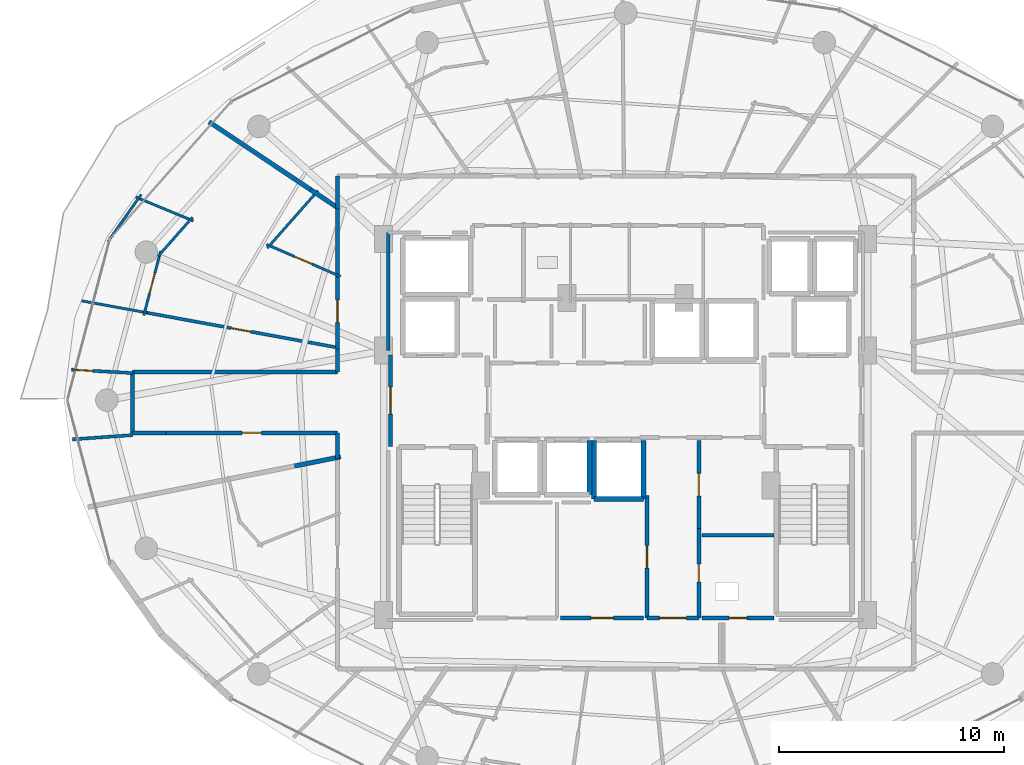
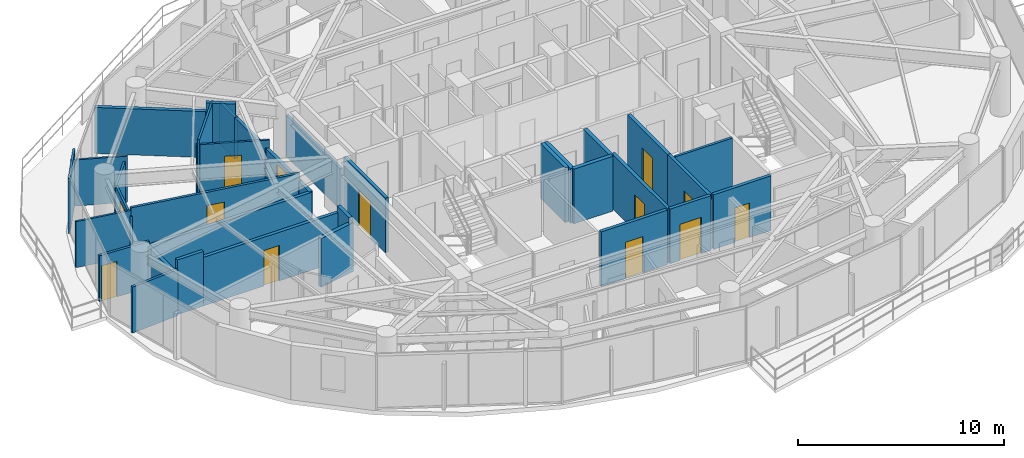
# One storey, part 22 of 30: 35 walls, 13 doors, 13 openings.
"""IFC4 building model written with IfcOpenShell, lengths in metres."""

import ifcopenshell
import ifcopenshell.guid

model = None  # the IFC model being written
_history = None  # IfcOwnerHistory: only IFC2X3 demands one
_inside = {}  # id of a spatial element -> (the spatial element, [elements in it])
_under = {}  # id of a project, library or spatial element -> (it, [spatial elements below it])
_declared = {}  # id of a project -> (the project, [libraries it declares])
_typed = {}  # id of a type object -> (the type object, [elements of that type])
_made_of = {}  # id of a material, layer set ... -> (it, [elements and type objects made of it])


def new_model(schema):
    """Start an empty IFC model of exactly this schema.

    Asked for "IFC4X3", IfcOpenShell would pick the latest addendum, in which some entities
    have other attributes; the version numbers below select the first issue.
    IFC2X3 requires an IfcOwnerHistory on every rooted entity: one is made here for all.
    """
    global model, _history
    if schema == "IFC4X3":
        model = ifcopenshell.file(schema_version=(4, 3, 0, 0))
    else:
        model = ifcopenshell.file(schema=schema)
    _inside.clear()
    _under.clear()
    _declared.clear()
    _typed.clear()
    _made_of.clear()
    _history = None
    if model.schema == "IFC2X3":
        org = make("IfcOrganization", Name="unknown")
        user = make(
            "IfcPersonAndOrganization",
            ThePerson=make("IfcPerson", FamilyName="unknown"),
            TheOrganization=org,
        )
        app = make(
            "IfcApplication",
            ApplicationDeveloper=org,
            Version="unknown",
            ApplicationFullName="unknown",
            ApplicationIdentifier="unknown",
        )
        _history = make(
            "IfcOwnerHistory",
            OwningUser=user,
            OwningApplication=app,
            ChangeAction="ADDED",
            CreationDate=0,
        )
    return model


def make(cls, **values):
    """One entity of the class cls with the attributes given. An attribute that is None is left unset."""
    return model.create_entity(
        cls, **{name: value for name, value in values.items() if value is not None}
    )


def rooted(cls, **values):
    """An entity with a GlobalId (a new one), such as an element, a storey or a relation."""
    return make(cls, GlobalId=ifcopenshell.guid.new(), OwnerHistory=_history, **values)


def si_unit(unit_type, name, prefix=None):
    """IfcSIUnit, for example si_unit("LENGTHUNIT", "METRE", prefix="MILLI")."""
    return make("IfcSIUnit", UnitType=unit_type, Prefix=prefix, Name=name)


def assignment(units):
    """IfcUnitAssignment: the units of a project."""
    return None if units is None else make("IfcUnitAssignment", Units=units)


def point(xyz):
    """IfcCartesianPoint."""
    return None if xyz is None else make("IfcCartesianPoint", Coordinates=xyz)


def direction(xyz):
    """IfcDirection."""
    return None if xyz is None else make("IfcDirection", DirectionRatios=xyz)


def frame(location, z_axis=None, x_axis=None):
    """IfcAxis2Placement3D, a coordinate frame: its origin and axes. An axis left out is left unset."""
    return make(
        "IfcAxis2Placement3D",
        Location=point(location),
        Axis=direction(z_axis),
        RefDirection=direction(x_axis),
    )


def frame_2d(location, x_axis=None):
    """IfcAxis2Placement2D, a coordinate frame in the plane: its origin and x axis."""
    return make(
        "IfcAxis2Placement2D", Location=point(location), RefDirection=direction(x_axis)
    )


def origin():
    """The frame at (0, 0, 0) with its axes left unset."""
    return frame((0.0, 0.0, 0.0))


def place(relative_to, where):
    """IfcLocalPlacement: puts the frame where relative to a parent placement (None: the world)."""
    return make(
        "IfcLocalPlacement", PlacementRelTo=relative_to, RelativePlacement=where
    )


def context(
    kind, dimensions, precision=None, world=None, true_north=None, identifier=None
):
    """IfcGeometricRepresentationContext, for example the 3D "Model" context."""
    return make(
        "IfcGeometricRepresentationContext",
        ContextIdentifier=identifier,
        ContextType=kind,
        CoordinateSpaceDimension=dimensions,
        Precision=precision,
        WorldCoordinateSystem=world,
        TrueNorth=true_north,
    )


def subcontext(parent, identifier, kind, view, scale=None):
    """IfcGeometricRepresentationSubContext, for example "Body" below "Model"."""
    return make(
        "IfcGeometricRepresentationSubContext",
        ContextIdentifier=identifier,
        ContextType=kind,
        ParentContext=parent,
        TargetScale=scale,
        TargetView=view,
    )


def project(units=None, contexts=None):
    """IfcProject with its units and contexts."""
    return rooted(
        "IfcProject",
        Name="project",
        RepresentationContexts=contexts,
        UnitsInContext=assignment(units),
    )


def spatial(cls, under=None, at=None, **own):
    """A site, building, storey or space (cls), placed at a placement, below another one or the project."""
    s = rooted(cls, ObjectPlacement=at, **own)
    if under is not None:
        _under.setdefault(under.id(), (under, []))[1].append(s)
    return s


def profile(cls, at=None, kind="AREA", **sizes):
    """A parametric profile (cls). Its sizes go by their IFC names, for example OverallWidth=200.0."""
    return make(cls, ProfileType=kind, Position=at, **sizes)


def rectangle(**sizes):
    """IfcRectangleProfileDef."""
    return profile("IfcRectangleProfileDef", **sizes)


def extrude(swept, where, along, depth):
    """IfcExtrudedAreaSolid: the profile swept, set in the frame where, extruded along a direction by depth."""
    return make(
        "IfcExtrudedAreaSolid",
        SweptArea=swept,
        Position=where,
        ExtrudedDirection=direction(along),
        Depth=depth,
    )


def shape(context_of_items, identifier, shape_type, items):
    """IfcShapeRepresentation: the items that make up one representation, for example the "Body"."""
    return make(
        "IfcShapeRepresentation",
        ContextOfItems=context_of_items,
        RepresentationIdentifier=identifier,
        RepresentationType=shape_type,
        Items=items,
    )


def material(Name=None, Category=None):
    """IfcMaterial."""
    return make("IfcMaterial", Name=Name, Category=Category)


def layer(
    of_material, thickness, ventilated=None, Name=None, Category=None, Priority=None
):
    """IfcMaterialLayer: one layer of a wall or slab, of a material (None: an air gap)."""
    return make(
        "IfcMaterialLayer",
        Material=of_material,
        LayerThickness=thickness,
        IsVentilated=ventilated,
        Name=Name,
        Category=Category,
        Priority=Priority,
    )


def layer_set(layers, Name=None):
    """IfcMaterialLayerSet."""
    return make("IfcMaterialLayerSet", MaterialLayers=layers, LayerSetName=Name)


def made_of(thing, what):
    """Note that an element or type object is made of a material, layer set ...; save() writes the relation."""
    if what is not None:
        _made_of.setdefault(what.id(), (what, []))[1].append(thing)
    return thing


def type_object(cls, material=None, **own):
    """A type object (cls), such as IfcWallType, which elements share."""
    return made_of(rooted(cls, **own), material)


def element(
    cls,
    number,
    at=None,
    inside=None,
    cuts=None,
    type_object=None,
    material=None,
    context=None,
    identifier="Body",
    shape_type=None,
    held_by="IfcProductDefinitionShape",
    body=None,
    shapes=None,
    **own,
):
    """One element of the class cls, such as IfcWall. Its Tag is "e" and its number.

    at: its placement. inside: the storey or other place that contains it. cuts: it is an
    opening in that element (IfcRelVoidsElement). A single representation is given by context,
    identifier, shape_type and body (its items); several are given by shapes. held_by: the class
    of the entity that holds the representations. save() writes the other relations.
    """
    e = rooted(cls, Tag="e%d" % number, ObjectPlacement=at, **own)
    if body is not None:
        shapes = [shape(context, identifier, shape_type, body)]
    if shapes is not None:
        e.Representation = make(held_by, Representations=shapes)
    if inside is not None:
        _inside.setdefault(inside.id(), (inside, []))[1].append(e)
    if cuts is not None:
        rooted(
            "IfcRelVoidsElement", RelatingBuildingElement=cuts, RelatedOpeningElement=e
        )
    if type_object is not None:
        _typed.setdefault(type_object.id(), (type_object, []))[1].append(e)
    return made_of(e, material)


def fill(opening, filler):
    """IfcRelFillsElement: the door or window that sits in an opening."""
    return rooted(
        "IfcRelFillsElement",
        RelatingOpeningElement=opening,
        RelatedBuildingElement=filler,
    )


def aggregate(whole, parts):
    """IfcRelAggregates: a whole, such as a stair, and the parts it consists of."""
    return rooted("IfcRelAggregates", RelatingObject=whole, RelatedObjects=parts)


def save(model, path):
    """Write the relations noted so far, then the file.

    IfcRelAggregates (storeys below a building ...), IfcRelContainedInSpatialStructure (elements
    in a storey), IfcRelDefinesByType, IfcRelAssociatesMaterial and IfcRelDeclares: one each for
    every whole, place, type object, material and project.
    """
    for whole, parts in _under.values():
        aggregate(whole, parts)
    for where, things in _inside.values():
        rooted(
            "IfcRelContainedInSpatialStructure",
            RelatedElements=things,
            RelatingStructure=where,
        )
    for kind, things in _typed.values():
        rooted("IfcRelDefinesByType", RelatedObjects=things, RelatingType=kind)
    for what, things in _made_of.values():
        rooted("IfcRelAssociatesMaterial", RelatedObjects=things, RelatingMaterial=what)
    for by, libraries in _declared.values():
        rooted("IfcRelDeclares", RelatingContext=by, RelatedDefinitions=libraries)
    model.write(path)


model = new_model("IFC4")

# Units and contexts
model_context = context("Model", 3, precision=1e-05, world=origin(), true_north=direction((0.0, 1.0)))
body_context = subcontext(model_context, "Body", "Model", "MODEL_VIEW")
ifc_project = project(units=[si_unit("LENGTHUNIT", "METRE"), si_unit("AREAUNIT", "SQUARE_METRE"), si_unit("VOLUMEUNIT", "CUBIC_METRE"), si_unit("PLANEANGLEUNIT", "RADIAN"), si_unit("MASSUNIT", "GRAM", prefix="KILO")], contexts=[model_context])

# Site, building, storey
site_placement = place(None, origin())
site = spatial("IfcSite", under=ifc_project, at=site_placement, CompositionType="ELEMENT")
building_placement = place(site_placement, origin())
building = spatial("IfcBuilding", under=site, at=building_placement, Name="Vorneva Point Tower", CompositionType="ELEMENT")
storey_placement = place(building_placement, frame((0.0, 0.0, 157.10009765625)))
storey = spatial("IfcBuildingStorey", under=building, at=storey_placement, Name="L42", CompositionType="ELEMENT", Elevation=157.10009765625)

# Wall, opening, door
ifc_material_1 = material(Name="Fire-rated acoustic gypsum stud partition", Category="gypsum")
ifc_layer_1 = layer(ifc_material_1, 0.110107421875)
ifc_layer_set_1 = layer_set([ifc_layer_1], Name="Fire-rated acoustic gypsum stud partition")
wall_type_1 = type_object("IfcWallType", Name="WL-PART-110", PredefinedType="PARTITIONING", material=ifc_layer_set_1)
wall_1_placement = place(storey_placement, frame((25.328369140625, 31.497314453125, 0.0), z_axis=(0.0, 0.0, 1.0), x_axis=(-0.917371334891, 0.398032453351, 0.0)))
wall_1 = element("IfcWall", 1, at=wall_1_placement, inside=storey, type_object=wall_type_1, Name="L42 Interior Partition 105", PredefinedType="PARTITIONING", context=body_context, shape_type="SweptSolid", body=[
    extrude(rectangle(XDim=3.578369140625, YDim=0.110107421875, at=frame_2d((1.7890625, 0.0))), origin(), (0.0, 0.0, 1.0), 2.885986328125),
])
opening_1_placement = place(wall_1_placement, frame((1.3642578125, 0.0, 0.0)))
opening_1 = element("IfcOpeningElement", 2, at=opening_1_placement, cuts=wall_1, Name="Opening ID-02", PredefinedType="OPENING", context=body_context, shape_type="SweptSolid", body=[
    extrude(rectangle(XDim=0.85009765625, YDim=2.10009765625, at=frame_2d((0.425048828125, 1.050048828125))), frame((0.0, 0.06982421875, 0.0), z_axis=(0.0, -1.0, 0.0), x_axis=(1.0, 0.0, 0.0)), (0.0, 0.0, 1.0), 0.139892578125),
])
ifc_material_2 = material(Name="Engineered oak fire-rated door leaf", Category="wood")
door_type_1 = type_object("IfcDoorType", Name="DR-BATH-850", OperationType="NOTDEFINED", PredefinedType="DOOR", material=ifc_material_2)
door_1_placement = place(opening_1_placement, origin())
door_1 = element("IfcDoor", 3, at=door_1_placement, inside=storey, type_object=door_type_1, Name="L42 Door Living and Dining Room L42-04 / Bathroom L42-04", OperationType="SINGLE_SWING_LEFT", OverallHeight=2.10009765625, OverallWidth=0.85009765625, PredefinedType="DOOR", context=body_context, shape_type="SweptSolid", body=[
    extrude(rectangle(XDim=0.85009765625, YDim=2.10009765625, at=frame_2d((0.425048828125, 1.050048828125))), frame((0.0, 0.02490234375, 0.0), z_axis=(0.0, -1.0, 0.0), x_axis=(1.0, 0.0, 0.0)), (0.0, 0.0, 1.0), 0.050048828125),
])
fill(opening_1, door_1)

# Walls
wall_2_placement = place(storey_placement, frame((22.081298828125, 32.760986328125, 0.0), z_axis=(0.0, 0.0, 1.0), x_axis=(0.662023888113, 0.749482736004, 0.0)))
element("IfcWall", 4, at=wall_2_placement, inside=storey, type_object=wall_type_1, Name="L42 Interior Partition 106", PredefinedType="PARTITIONING", context=body_context, shape_type="SweptSolid", body=[
    extrude(rectangle(XDim=3.3916015625, YDim=0.110107421875, at=frame_2d((1.69580078125, 0.0))), origin(), (0.0, 0.0, 1.0), 3.239990234375),
])
wall_3_placement = place(storey_placement, frame((16.230712890625, 35.025634765625, 0.0), z_axis=(0.0, 0.0, 1.0), x_axis=(0.923742873908, -0.383013188943, 0.0)))
element("IfcWall", 5, at=wall_3_placement, inside=storey, type_object=wall_type_1, Name="L42 Interior Partition 107", PredefinedType="PARTITIONING", context=body_context, shape_type="SweptSolid", body=[
    extrude(rectangle(XDim=2.770751953125, YDim=0.110107421875, at=frame_2d((1.38525390625, 0.0))), origin(), (0.0, 0.0, 1.0), 2.727783203125),
])
wall_4_placement = place(storey_placement, frame((18.753662109375, 34.122802734375, 0.0), z_axis=(0.0, 0.0, 1.0), x_axis=(-0.66207590595, -0.749436785033, 0.0)))
element("IfcWall", 6, at=wall_4_placement, inside=storey, type_object=wall_type_1, Name="L42 Interior Partition 108", PredefinedType="PARTITIONING", context=body_context, shape_type="SweptSolid", body=[
    extrude(rectangle(XDim=2.327880859375, YDim=0.110107421875, at=frame_2d((1.1640625, 0.0))), origin(), (0.0, 0.0, 1.0), 2.431884765625),
])

# Wall, opening, door
wall_5_placement = place(storey_placement, frame((17.340576171875, 32.618408203125, 0.0), z_axis=(0.0, 0.0, 1.0), x_axis=(-0.254191595923, -0.967153882566, 0.0)))
wall_5 = element("IfcWall", 7, at=wall_5_placement, inside=storey, type_object=wall_type_1, Name="L42 Interior Partition 109", PredefinedType="PARTITIONING", context=body_context, shape_type="SweptSolid", body=[
    extrude(rectangle(XDim=2.94775390625, YDim=0.110107421875, at=frame_2d((1.473876953125, 0.0))), origin(), (0.0, 0.0, 1.0), 2.431884765625),
])
opening_2_placement = place(wall_5_placement, frame((1.023681640625, 0.0, 0.0)))
opening_2 = element("IfcOpeningElement", 8, at=opening_2_placement, cuts=wall_5, Name="Opening ID-01", PredefinedType="OPENING", context=body_context, shape_type="SweptSolid", body=[
    extrude(rectangle(XDim=0.89990234375, YDim=2.10009765625, at=frame_2d((0.449951171875, 1.050048828125))), frame((0.0, 0.06982421875, 0.0), z_axis=(0.0, -1.0, 0.0), x_axis=(1.0, 0.0, 0.0)), (0.0, 0.0, 1.0), 0.139892578125),
])
door_type_2 = type_object("IfcDoorType", Name="DR-ROOM-900", OperationType="NOTDEFINED", PredefinedType="DOOR", material=ifc_material_2)
door_2_placement = place(opening_2_placement, origin())
door_2 = element("IfcDoor", 9, at=door_2_placement, inside=storey, type_object=door_type_2, Name="L42 Door Living and Dining Room L42-04 / Kitchen L42-04", OperationType="SINGLE_SWING_RIGHT", OverallHeight=2.10009765625, OverallWidth=0.89990234375, PredefinedType="DOOR", context=body_context, shape_type="SweptSolid", body=[
    extrude(rectangle(XDim=0.89990234375, YDim=2.10009765625, at=frame_2d((0.449951171875, 1.050048828125))), frame((0.0, 0.02490234375, 0.0), z_axis=(0.0, -1.0, 0.0), x_axis=(1.0, 0.0, 0.0)), (0.0, 0.0, 1.0), 0.050048828125),
])
fill(opening_2, door_2)

# Walls
wall_6_placement = place(storey_placement, frame((16.4755859375, 35.136474609375, 0.0), z_axis=(0.0, 0.0, 1.0), x_axis=(-0.576469555269, -0.81711862777, 0.0)))
element("IfcWall", 10, at=wall_6_placement, inside=storey, type_object=wall_type_1, Name="L42 Interior Partition 110", PredefinedType="PARTITIONING", context=body_context, shape_type="SweptSolid", body=[
    extrude(rectangle(XDim=2.5576171875, YDim=0.110107421875, at=frame_2d((1.27880859375, 0.0))), origin(), (0.0, 0.0, 1.0), 3.239990234375),
])
wall_7_placement = place(storey_placement, frame((13.834228515625, 30.4130859375, 0.0), z_axis=(0.0, 0.0, 1.0), x_axis=(0.983716126889, -0.179729189891, 0.0)))
element("IfcWall", 11, at=wall_7_placement, inside=storey, type_object=wall_type_1, Name="L42 Interior Partition 112", PredefinedType="PARTITIONING", context=body_context, shape_type="SweptSolid", body=[
    extrude(rectangle(XDim=2.97900390625, YDim=0.110107421875, at=frame_2d((1.489501953125, 0.0))), origin(), (0.0, 0.0, 1.0), 2.727783203125),
])
ifc_layer_2 = layer(ifc_material_1, 0.139892578125)
ifc_layer_set_2 = layer_set([ifc_layer_2], Name="Fire-rated acoustic gypsum stud partition")
wall_type_2 = type_object("IfcWallType", Name="WL-PART-140", PredefinedType="PARTITIONING", material=ifc_layer_set_2)
wall_8_placement = place(storey_placement, frame((44.60009765625, 20.0, 0.0), z_axis=(0.0, 0.0, 1.0), x_axis=(-1.0, 0.0, 0.0)))
element("IfcWall", 12, at=wall_8_placement, inside=storey, type_object=wall_type_2, Name="L42 Interior Partition 018", PredefinedType="PARTITIONING", context=body_context, shape_type="SweptSolid", body=[
    extrude(rectangle(XDim=3.2001953125, YDim=0.139892578125, at=frame_2d((1.60009765625, 0.0))), origin(), (0.0, 0.0, 1.0), 3.239990234375),
])

# Wall, opening, door
wall_9_placement = place(storey_placement, frame((16.626953125, 29.903076171875, 0.0), z_axis=(0.0, 0.0, 1.0), x_axis=(0.983739211704, -0.179602793286, 0.0)))
wall_9 = element("IfcWall", 13, at=wall_9_placement, inside=storey, type_object=wall_type_2, Name="L42 Interior Partition 111", PredefinedType="PARTITIONING", context=body_context, shape_type="SweptSolid", body=[
    extrude(rectangle(XDim=8.714599609375, YDim=0.139892578125, at=frame_2d((4.357421875, 0.0))), origin(), (0.0, 0.0, 1.0), 2.885986328125),
])
opening_3_placement = place(wall_9_placement, frame((3.9072265625, 0.0, 0.0)))
opening_3 = element("IfcOpeningElement", 14, at=opening_3_placement, cuts=wall_9, Name="Opening ID-01", PredefinedType="OPENING", context=body_context, shape_type="SweptSolid", body=[
    extrude(rectangle(XDim=0.89990234375, YDim=2.10009765625, at=frame_2d((0.449951171875, 1.050048828125))), frame((0.0, 0.0849609375, 0.0), z_axis=(0.0, -1.0, 0.0), x_axis=(1.0, 0.0, 0.0)), (0.0, 0.0, 1.0), 0.169677734375),
])
door_3_placement = place(opening_3_placement, origin())
door_3 = element("IfcDoor", 15, at=door_3_placement, inside=storey, type_object=door_type_2, Name="L42 Door Living and Dining Room L42-04 / Master Bedroom L42-04.1", OperationType="SINGLE_SWING_LEFT", OverallHeight=2.10009765625, OverallWidth=0.89990234375, PredefinedType="DOOR", context=body_context, shape_type="SweptSolid", body=[
    extrude(rectangle(XDim=0.89990234375, YDim=2.10009765625, at=frame_2d((0.449951171875, 1.050048828125))), frame((0.0, 0.02490234375, 0.0), z_axis=(0.0, -1.0, 0.0), x_axis=(1.0, 0.0, 0.0)), (0.0, 0.0, 1.0), 0.050048828125),
])
fill(opening_3, door_3)

wall_10_placement = place(storey_placement, frame((13.376953125, 27.35498046875, 0.0), z_axis=(0.0, 0.0, 1.0), x_axis=(0.998488320145, -0.054964302364, 0.0)))
wall_10 = element("IfcWall", 16, at=wall_10_placement, inside=storey, type_object=wall_type_2, Name="L42 Interior Partition 113", PredefinedType="PARTITIONING", context=body_context, shape_type="SweptSolid", body=[
    extrude(rectangle(XDim=2.727294921875, YDim=0.139892578125, at=frame_2d((1.36376953125, 0.0))), origin(), (0.0, 0.0, 1.0), 2.727783203125),
])
opening_4_placement = place(wall_10_placement, frame((0.0986328125, 0.0, 0.0)))
opening_4 = element("IfcOpeningElement", 17, at=opening_4_placement, cuts=wall_10, Name="Opening ID-02", PredefinedType="OPENING", context=body_context, shape_type="SweptSolid", body=[
    extrude(rectangle(XDim=0.85009765625, YDim=2.10009765625, at=frame_2d((0.425048828125, 1.050048828125))), frame((0.0, 0.0849609375, 0.0), z_axis=(0.0, -1.0, 0.0), x_axis=(1.0, 0.0, 0.0)), (0.0, 0.0, 1.0), 0.169677734375),
])
door_4_placement = place(opening_4_placement, origin())
door_4 = element("IfcDoor", 18, at=door_4_placement, inside=storey, type_object=door_type_1, Name="L42 Access Door Master Bedroom L42-04.1", OperationType="SINGLE_SWING_RIGHT", OverallHeight=2.10009765625, OverallWidth=0.85009765625, PredefinedType="DOOR", context=body_context, shape_type="SweptSolid", body=[
    extrude(rectangle(XDim=0.85009765625, YDim=2.10009765625, at=frame_2d((0.425048828125, 1.050048828125))), frame((0.0, 0.02490234375, 0.0), z_axis=(0.0, -1.0, 0.0), x_axis=(1.0, 0.0, 0.0)), (0.0, 0.0, 1.0), 0.050048828125),
])
fill(opening_4, door_4)

# Walls
wall_11_placement = place(storey_placement, frame((13.427001953125, 24.260009765625, 0.0), z_axis=(0.0, 0.0, 1.0), x_axis=(0.997504277417, 0.070606065851, 0.0)))
element("IfcWall", 19, at=wall_11_placement, inside=storey, type_object=wall_type_2, Name="L42 Interior Partition 114", PredefinedType="PARTITIONING", context=body_context, shape_type="SweptSolid", body=[
    extrude(rectangle(XDim=2.6796875, YDim=0.139892578125, at=frame_2d((1.33984375, 0.0))), origin(), (0.0, 0.0, 1.0), 2.727783203125),
])
wall_12_placement = place(storey_placement, frame((27.449951171875, 33.449951171875, 0.0), z_axis=(0.0, 0.0, 1.0), x_axis=(0.0, -1.0, 0.0)))
element("IfcWall", 20, at=wall_12_placement, inside=storey, type_object=wall_type_2, Name="L42 Interior Closure Partition 158", PredefinedType="PARTITIONING", context=body_context, shape_type="SweptSolid", body=[
    extrude(rectangle(XDim=5.25390625, YDim=0.139892578125, at=frame_2d((2.626953125, 0.0))), origin(), (0.0, 0.0, 1.0), 2.431884765625),
])

# Wall, opening, door
ifc_material_3 = material(Name="Autoclaved aerated concrete blockwork", Category="masonry")
ifc_layer_3 = layer(ifc_material_3, 0.179931640625)
ifc_layer_set_3 = layer_set([ifc_layer_3], Name="Autoclaved aerated concrete blockwork")
wall_type_3 = type_object("IfcWallType", Name="WL-PART-180", PredefinedType="PARTITIONING", material=ifc_layer_set_3)
wall_13_placement = place(storey_placement, frame((27.550048828125, 28.0, 0.0), z_axis=(0.0, 0.0, 1.0), x_axis=(0.0, -1.0, 0.0)))
wall_13 = element("IfcWall", 21, at=wall_13_placement, inside=storey, type_object=wall_type_3, Name="L42 Interior Partition 002", PredefinedType="PARTITIONING", context=body_context, shape_type="SweptSolid", body=[
    extrude(rectangle(XDim=4.050048828125, YDim=0.179931640625, at=frame_2d((2.02490234375, 0.0))), origin(), (0.0, 0.0, 1.0), 3.239990234375),
])
opening_5_placement = place(wall_13_placement, frame((1.425048828125, 0.0, 0.0)))
opening_5 = element("IfcOpeningElement", 22, at=opening_5_placement, cuts=wall_13, Name="Opening FD-02", PredefinedType="OPENING", context=body_context, shape_type="SweptSolid", body=[
    extrude(rectangle(XDim=1.199951171875, YDim=2.14990234375, at=frame_2d((0.60009765625, 1.074951171875))), frame((0.0, 0.10498046875, 0.0), z_axis=(0.0, -1.0, 0.0), x_axis=(1.0, 0.0, 0.0)), (0.0, 0.0, 1.0), 0.209716796875),
])
ifc_material_4 = material(Name="Fire-rated powder-coated steel", Category="steel")
door_type_3 = type_object("IfcDoorType", Name="DR-FFL-1200", OperationType="NOTDEFINED", PredefinedType="DOOR", material=ifc_material_4)
door_5_placement = place(opening_5_placement, origin())
door_5 = element("IfcDoor", 23, at=door_5_placement, inside=storey, type_object=door_type_3, Name="L42 Door West Firefighting Lobby / L42 Circulation Corridor", OperationType="SINGLE_SWING_RIGHT", OverallHeight=2.14990234375, OverallWidth=1.199951171875, PredefinedType="DOOR", context=body_context, shape_type="SweptSolid", body=[
    extrude(rectangle(XDim=1.199951171875, YDim=2.14990234375, at=frame_2d((0.60009765625, 1.074951171875))), frame((0.0, 0.02490234375, 0.0), z_axis=(0.0, -1.0, 0.0), x_axis=(1.0, 0.0, 0.0)), (0.0, 0.0, 1.0), 0.050048828125),
])
fill(opening_5, door_5)

wall_14_placement = place(storey_placement, frame((41.25, 16.320068359375, 0.0), z_axis=(0.0, 0.0, 1.0), x_axis=(0.0, 1.0, 0.0)))
wall_14 = element("IfcWall", 24, at=wall_14_placement, inside=storey, type_object=wall_type_3, Name="L42 Interior Partition 014", PredefinedType="PARTITIONING", context=body_context, shape_type="SweptSolid", body=[
    extrude(rectangle(XDim=3.98486328125, YDim=0.179931640625, at=frame_2d((1.992431640625, 0.0))), origin(), (0.0, 0.0, 1.0), 3.239990234375),
])
opening_6_placement = place(wall_14_placement, frame((1.592529296875, 0.0, 0.0)))
opening_6 = element("IfcOpeningElement", 25, at=opening_6_placement, cuts=wall_14, Name="Opening RD-01", PredefinedType="OPENING", context=body_context, shape_type="SweptSolid", body=[
    extrude(rectangle(XDim=0.800048828125, YDim=2.050048828125, at=frame_2d((0.39990234375, 1.02490234375))), frame((0.0, 0.10498046875, 0.0), z_axis=(0.0, -1.0, 0.0), x_axis=(1.0, 0.0, 0.0)), (0.0, 0.0, 1.0), 0.209716796875),
])
door_type_4 = type_object("IfcDoorType", Name="DR-RSR-800", OperationType="SINGLE_SWING_LEFT", PredefinedType="DOOR", material=ifc_material_4)
door_6_placement = place(opening_6_placement, origin())
door_6 = element("IfcDoor", 26, at=door_6_placement, inside=storey, type_object=door_type_4, Name="L42 Door Core Service Lobby / Electrical Riser", OperationType="SINGLE_SWING_LEFT", OverallHeight=2.050048828125, OverallWidth=0.800048828125, PredefinedType="DOOR", context=body_context, shape_type="SweptSolid", body=[
    extrude(rectangle(XDim=0.800048828125, YDim=2.050048828125, at=frame_2d((0.39990234375, 1.02490234375))), frame((0.0, 0.02490234375, 0.0), z_axis=(0.0, -1.0, 0.0), x_axis=(1.0, 0.0, 0.0)), (0.0, 0.0, 1.0), 0.050048828125),
])
fill(opening_6, door_6)

wall_15_placement = place(storey_placement, frame((41.25, 20.304931640625, 0.0), z_axis=(0.0, 0.0, 1.0), x_axis=(0.0, 1.0, 0.0)))
wall_15 = element("IfcWall", 27, at=wall_15_placement, inside=storey, type_object=wall_type_3, Name="L42 Interior Partition 015", PredefinedType="PARTITIONING", context=body_context, shape_type="SweptSolid", body=[
    extrude(rectangle(XDim=3.89501953125, YDim=0.179931640625, at=frame_2d((1.947509765625, 0.0))), origin(), (0.0, 0.0, 1.0), 3.239990234375),
])
opening_7_placement = place(wall_15_placement, frame((1.447509765625, 0.0, 0.0)))
opening_7 = element("IfcOpeningElement", 28, at=opening_7_placement, cuts=wall_15, Name="Opening UD-01", PredefinedType="OPENING", context=body_context, shape_type="SweptSolid", body=[
    extrude(rectangle(XDim=1.0, YDim=2.14990234375, at=frame_2d((0.5, 1.074951171875))), frame((0.0, 0.10498046875, 0.0), z_axis=(0.0, -1.0, 0.0), x_axis=(1.0, 0.0, 0.0)), (0.0, 0.0, 1.0), 0.209716796875),
])
door_type_5 = type_object("IfcDoorType", Name="DR-UNIT-1000", OperationType="NOTDEFINED", PredefinedType="DOOR", material=ifc_material_2)
door_7_placement = place(opening_7_placement, origin())
door_7 = element("IfcDoor", 29, at=door_7_placement, inside=storey, type_object=door_type_5, Name="L42 Door Core Service Lobby / Floor Management Office", OperationType="SINGLE_SWING_RIGHT", OverallHeight=2.14990234375, OverallWidth=1.0, PredefinedType="DOOR", context=body_context, shape_type="SweptSolid", body=[
    extrude(rectangle(XDim=1.0, YDim=2.14990234375, at=frame_2d((0.5, 1.074951171875))), frame((0.0, 0.02490234375, 0.0), z_axis=(0.0, -1.0, 0.0), x_axis=(1.0, 0.0, 0.0)), (0.0, 0.0, 1.0), 0.050048828125),
])
fill(opening_7, door_7)

wall_16_placement = place(storey_placement, frame((38.949951171875, 21.7548828125, 0.0), z_axis=(0.0, 0.0, 1.0), x_axis=(0.0, -1.0, 0.0)))
wall_16 = element("IfcWall", 30, at=wall_16_placement, inside=storey, type_object=wall_type_3, Name="L42 Interior Partition 016", PredefinedType="PARTITIONING", context=body_context, shape_type="SweptSolid", body=[
    extrude(rectangle(XDim=5.434814453125, YDim=0.179931640625, at=frame_2d((2.71728515625, 0.0))), origin(), (0.0, 0.0, 1.0), 3.239990234375),
])
opening_8_placement = place(wall_16_placement, frame((2.217529296875, 0.0, 0.0)))
opening_8 = element("IfcOpeningElement", 31, at=opening_8_placement, cuts=wall_16, Name="Opening UD-01", PredefinedType="OPENING", context=body_context, shape_type="SweptSolid", body=[
    extrude(rectangle(XDim=1.0, YDim=2.14990234375, at=frame_2d((0.5, 1.074951171875))), frame((0.0, 0.10498046875, 0.0), z_axis=(0.0, -1.0, 0.0), x_axis=(1.0, 0.0, 0.0)), (0.0, 0.0, 1.0), 0.209716796875),
])
door_8_placement = place(opening_8_placement, origin())
door_8 = element("IfcDoor", 32, at=door_8_placement, inside=storey, type_object=door_type_5, Name="L42 Door Core Service Lobby / Staff Service Pantry", OperationType="SINGLE_SWING_LEFT", OverallHeight=2.14990234375, OverallWidth=1.0, PredefinedType="DOOR", context=body_context, shape_type="SweptSolid", body=[
    extrude(rectangle(XDim=1.0, YDim=2.14990234375, at=frame_2d((0.5, 1.074951171875))), frame((0.0, 0.02490234375, 0.0), z_axis=(0.0, -1.0, 0.0), x_axis=(1.0, 0.0, 0.0)), (0.0, 0.0, 1.0), 0.050048828125),
])
fill(opening_8, door_8)

wall_17_placement = place(storey_placement, frame((38.949951171875, 16.320068359375, 0.0), z_axis=(0.0, 0.0, 1.0), x_axis=(1.0, 0.0, 0.0)))
wall_17 = element("IfcWall", 33, at=wall_17_placement, inside=storey, type_object=wall_type_3, Name="L42 Interior Partition 017", PredefinedType="PARTITIONING", context=body_context, shape_type="SweptSolid", body=[
    extrude(rectangle(XDim=2.300048828125, YDim=0.179931640625, at=frame_2d((1.14990234375, 0.0))), origin(), (0.0, 0.0, 1.0), 3.239990234375),
])
opening_9_placement = place(wall_17_placement, frame((0.550048828125, 0.0, 0.0)))
opening_9 = element("IfcOpeningElement", 34, at=opening_9_placement, cuts=wall_17, Name="Opening FD-02", PredefinedType="OPENING", context=body_context, shape_type="SweptSolid", body=[
    extrude(rectangle(XDim=1.199951171875, YDim=2.14990234375, at=frame_2d((0.60009765625, 1.074951171875))), frame((0.0, 0.10498046875, 0.0), z_axis=(0.0, -1.0, 0.0), x_axis=(1.0, 0.0, 0.0)), (0.0, 0.0, 1.0), 0.209716796875),
])
door_9_placement = place(opening_9_placement, origin())
door_9 = element("IfcDoor", 35, at=door_9_placement, inside=storey, type_object=door_type_3, Name="L42 Door Core Service Lobby / L42 Circulation Corridor", OperationType="SINGLE_SWING_RIGHT", OverallHeight=2.14990234375, OverallWidth=1.199951171875, PredefinedType="DOOR", context=body_context, shape_type="SweptSolid", body=[
    extrude(rectangle(XDim=1.199951171875, YDim=2.14990234375, at=frame_2d((0.60009765625, 1.074951171875))), frame((0.0, 0.02490234375, 0.0), z_axis=(0.0, -1.0, 0.0), x_axis=(1.0, 0.0, 0.0)), (0.0, 0.0, 1.0), 0.050048828125),
])
fill(opening_9, door_9)

wall_18_placement = place(storey_placement, frame((41.39990234375, 16.320068359375, 0.0), z_axis=(0.0, 0.0, 1.0), x_axis=(1.0, 0.0, 0.0)))
wall_18 = element("IfcWall", 36, at=wall_18_placement, inside=storey, type_object=wall_type_3, Name="L42 Interior Partition 019", PredefinedType="PARTITIONING", context=body_context, shape_type="SweptSolid", body=[
    extrude(rectangle(XDim=3.2001953125, YDim=0.179931640625, at=frame_2d((1.60009765625, 0.0))), origin(), (0.0, 0.0, 1.0), 3.239990234375),
])
opening_10_placement = place(wall_18_placement, frame((1.199951171875, 0.0, 0.0)))
opening_10 = element("IfcOpeningElement", 37, at=opening_10_placement, cuts=wall_18, Name="Opening RD-01", PredefinedType="OPENING", context=body_context, shape_type="SweptSolid", body=[
    extrude(rectangle(XDim=0.800048828125, YDim=2.050048828125, at=frame_2d((0.39990234375, 1.02490234375))), frame((0.0, 0.10498046875, 0.0), z_axis=(0.0, -1.0, 0.0), x_axis=(1.0, 0.0, 0.0)), (0.0, 0.0, 1.0), 0.209716796875),
])
door_10_placement = place(opening_10_placement, origin())
door_10 = element("IfcDoor", 38, at=door_10_placement, inside=storey, type_object=door_type_4, Name="L42 Door Electrical Riser / L42 Circulation Corridor", OperationType="SINGLE_SWING_LEFT", OverallHeight=2.050048828125, OverallWidth=0.800048828125, PredefinedType="DOOR", context=body_context, shape_type="SweptSolid", body=[
    extrude(rectangle(XDim=0.800048828125, YDim=2.050048828125, at=frame_2d((0.39990234375, 1.02490234375))), frame((0.0, 0.02490234375, 0.0), z_axis=(0.0, -1.0, 0.0), x_axis=(1.0, 0.0, 0.0)), (0.0, 0.0, 1.0), 0.050048828125),
])
fill(opening_10, door_10)

wall_19_placement = place(storey_placement, frame((35.10009765625, 16.320068359375, 0.0), z_axis=(0.0, 0.0, 1.0), x_axis=(1.0, 0.0, 0.0)))
wall_19 = element("IfcWall", 39, at=wall_19_placement, inside=storey, type_object=wall_type_3, Name="L42 Interior Partition 033", PredefinedType="PARTITIONING", context=body_context, shape_type="SweptSolid", body=[
    extrude(rectangle(XDim=3.699951171875, YDim=0.179931640625, at=frame_2d((1.85009765625, 0.0))), origin(), (0.0, 0.0, 1.0), 3.239990234375),
])
opening_11_placement = place(wall_19_placement, frame((1.35009765625, 0.0, 0.0)))
opening_11 = element("IfcOpeningElement", 40, at=opening_11_placement, cuts=wall_19, Name="Opening UD-01", PredefinedType="OPENING", context=body_context, shape_type="SweptSolid", body=[
    extrude(rectangle(XDim=1.0, YDim=2.14990234375, at=frame_2d((0.5, 1.074951171875))), frame((0.0, 0.10498046875, 0.0), z_axis=(0.0, -1.0, 0.0), x_axis=(1.0, 0.0, 0.0)), (0.0, 0.0, 1.0), 0.209716796875),
])
door_11_placement = place(opening_11_placement, origin())
door_11 = element("IfcDoor", 41, at=door_11_placement, inside=storey, type_object=door_type_5, Name="L42 Door Staff Service Pantry / L42 Circulation Corridor", OperationType="SINGLE_SWING_LEFT", OverallHeight=2.14990234375, OverallWidth=1.0, PredefinedType="DOOR", context=body_context, shape_type="SweptSolid", body=[
    extrude(rectangle(XDim=1.0, YDim=2.14990234375, at=frame_2d((0.5, 1.074951171875))), frame((0.0, 0.02490234375, 0.0), z_axis=(0.0, -1.0, 0.0), x_axis=(1.0, 0.0, 0.0)), (0.0, 0.0, 1.0), 0.050048828125),
])
fill(opening_11, door_11)

# Wall
wall_20_placement = place(storey_placement, frame((25.199951171875, 35.949951171875, 0.0), z_axis=(0.0, 0.0, 1.0), x_axis=(0.0, -1.0, 0.0)))
element("IfcWall", 42, at=wall_20_placement, inside=storey, type_object=wall_type_3, Name="L42 Interior Partition 047", PredefinedType="PARTITIONING", context=body_context, shape_type="SweptSolid", body=[
    extrude(rectangle(XDim=1.45703125, YDim=0.179931640625, at=frame_2d((0.728515625, 0.0))), origin(), (0.0, 0.0, 1.0), 2.431884765625),
])

# Wall, opening, door
wall_21_placement = place(storey_placement, frame((25.199951171875, 31.617919921875, 0.0), z_axis=(0.0, 0.0, 1.0), x_axis=(0.0, -1.0, 0.0)))
wall_21 = element("IfcWall", 43, at=wall_21_placement, inside=storey, type_object=wall_type_3, Name="L42 Interior Partition 048", PredefinedType="PARTITIONING", context=body_context, shape_type="SweptSolid", body=[
    extrude(rectangle(XDim=3.33984375, YDim=0.179931640625, at=frame_2d((1.669921875, 0.0))), origin(), (0.0, 0.0, 1.0), 2.431884765625),
])
opening_12_placement = place(wall_21_placement, frame((1.169921875, 0.0, 0.0)))
opening_12 = element("IfcOpeningElement", 44, at=opening_12_placement, cuts=wall_21, Name="Opening UD-01", PredefinedType="OPENING", context=body_context, shape_type="SweptSolid", body=[
    extrude(rectangle(XDim=1.0, YDim=2.14990234375, at=frame_2d((0.5, 1.074951171875))), frame((0.0, 0.10498046875, 0.0), z_axis=(0.0, -1.0, 0.0), x_axis=(1.0, 0.0, 0.0)), (0.0, 0.0, 1.0), 0.209716796875),
])
door_12_placement = place(opening_12_placement, origin())
door_12 = element("IfcDoor", 45, at=door_12_placement, inside=storey, type_object=door_type_5, Name="L42 Door L42 Circulation Corridor / Living and Dining Room L42-04", OperationType="SINGLE_SWING_LEFT", OverallHeight=2.14990234375, OverallWidth=1.0, PredefinedType="DOOR", context=body_context, shape_type="SweptSolid", body=[
    extrude(rectangle(XDim=1.0, YDim=2.14990234375, at=frame_2d((0.5, 1.074951171875))), frame((0.0, 0.02490234375, 0.0), z_axis=(0.0, -1.0, 0.0), x_axis=(1.0, 0.0, 0.0)), (0.0, 0.0, 1.0), 0.050048828125),
])
fill(opening_12, door_12)

# Walls
wall_22_placement = place(storey_placement, frame((25.199951171875, 34.633056640625, 0.0), z_axis=(0.0, 0.0, 1.0), x_axis=(0.0, -1.0, 0.0)))
element("IfcWall", 46, at=wall_22_placement, inside=storey, type_object=wall_type_3, Name="L42 Interior Partition 049", PredefinedType="PARTITIONING", context=body_context, shape_type="SweptSolid", body=[
    extrude(rectangle(XDim=3.155029296875, YDim=0.179931640625, at=frame_2d((1.57763671875, 0.0))), origin(), (0.0, 0.0, 1.0), 2.431884765625),
])
wall_23_placement = place(storey_placement, frame((25.199951171875, 28.278076171875, 0.0), z_axis=(0.0, 0.0, 1.0), x_axis=(0.0, -1.0, 0.0)))
element("IfcWall", 47, at=wall_23_placement, inside=storey, type_object=wall_type_3, Name="L42 Interior Partition 050", PredefinedType="PARTITIONING", context=body_context, shape_type="SweptSolid", body=[
    extrude(rectangle(XDim=1.028076171875, YDim=0.179931640625, at=frame_2d((0.51416015625, 0.0))), origin(), (0.0, 0.0, 1.0), 2.431884765625),
])
wall_24_placement = place(storey_placement, frame((25.199951171875, 27.25, 0.0), z_axis=(0.0, 0.0, 1.0), x_axis=(-1.0, 0.0, 0.0)))
element("IfcWall", 48, at=wall_24_placement, inside=storey, type_object=wall_type_3, Name="L42 Interior Partition 051", PredefinedType="PARTITIONING", context=body_context, shape_type="SweptSolid", body=[
    extrude(rectangle(XDim=9.099853515625, YDim=0.179931640625, at=frame_2d((4.5498046875, 0.0))), origin(), (0.0, 0.0, 1.0), 2.431884765625),
])
wall_25_placement = place(storey_placement, frame((16.10009765625, 27.25, 0.0), z_axis=(0.0, 0.0, 1.0), x_axis=(0.0, -1.0, 0.0)))
element("IfcWall", 49, at=wall_25_placement, inside=storey, type_object=wall_type_3, Name="L42 Interior Partition 052", PredefinedType="PARTITIONING", context=body_context, shape_type="SweptSolid", body=[
    extrude(rectangle(XDim=2.699951171875, YDim=0.179931640625, at=frame_2d((1.35009765625, 0.0))), origin(), (0.0, 0.0, 1.0), 2.431884765625),
])
wall_26_placement = place(storey_placement, frame((16.10009765625, 24.550048828125, 0.0), z_axis=(0.0, 0.0, 1.0), x_axis=(1.0, 0.0, 0.0)))
element("IfcWall", 50, at=wall_26_placement, inside=storey, type_object=wall_type_3, Name="L42 Interior Partition 053", PredefinedType="PARTITIONING", context=body_context, shape_type="SweptSolid", body=[
    extrude(rectangle(XDim=1.48095703125, YDim=0.179931640625, at=frame_2d((0.740478515625, 0.0))), origin(), (0.0, 0.0, 1.0), 3.239990234375),
])

# Wall, opening, door
wall_27_placement = place(storey_placement, frame((17.5810546875, 24.550048828125, 0.0), z_axis=(0.0, 0.0, 1.0), x_axis=(1.0, 0.0, 0.0)))
wall_27 = element("IfcWall", 51, at=wall_27_placement, inside=storey, type_object=wall_type_3, Name="L42 Interior Partition 054", PredefinedType="PARTITIONING", context=body_context, shape_type="SweptSolid", body=[
    extrude(rectangle(XDim=7.618896484375, YDim=0.179931640625, at=frame_2d((3.8095703125, 0.0))), origin(), (0.0, 0.0, 1.0), 2.885986328125),
])
opening_13_placement = place(wall_27_placement, frame((3.384521484375, 0.0, 0.0)))
opening_13 = element("IfcOpeningElement", 52, at=opening_13_placement, cuts=wall_27, Name="Opening ID-02", PredefinedType="OPENING", context=body_context, shape_type="SweptSolid", body=[
    extrude(rectangle(XDim=0.85009765625, YDim=2.10009765625, at=frame_2d((0.425048828125, 1.050048828125))), frame((0.0, 0.10498046875, 0.0), z_axis=(0.0, -1.0, 0.0), x_axis=(1.0, 0.0, 0.0)), (0.0, 0.0, 1.0), 0.209716796875),
])
door_13_placement = place(opening_13_placement, origin())
door_13 = element("IfcDoor", 53, at=door_13_placement, inside=storey, type_object=door_type_1, Name="L42 Access Door L42 Circulation Corridor", OperationType="SINGLE_SWING_RIGHT", OverallHeight=2.10009765625, OverallWidth=0.85009765625, PredefinedType="DOOR", context=body_context, shape_type="SweptSolid", body=[
    extrude(rectangle(XDim=0.85009765625, YDim=2.10009765625, at=frame_2d((0.425048828125, 1.050048828125))), frame((0.0, 0.02490234375, 0.0), z_axis=(0.0, -1.0, 0.0), x_axis=(1.0, 0.0, 0.0)), (0.0, 0.0, 1.0), 0.050048828125),
])
fill(opening_13, door_13)

# Walls
wall_28_placement = place(storey_placement, frame((25.199951171875, 24.550048828125, 0.0), z_axis=(0.0, 0.0, 1.0), x_axis=(0.0, -1.0, 0.0)))
element("IfcWall", 54, at=wall_28_placement, inside=storey, type_object=wall_type_3, Name="L42 Interior Partition 055", PredefinedType="PARTITIONING", context=body_context, shape_type="SweptSolid", body=[
    extrude(rectangle(XDim=1.156982421875, YDim=0.179931640625, at=frame_2d((0.57861328125, 0.0))), origin(), (0.0, 0.0, 1.0), 3.239990234375),
])
ifc_layer_4 = layer(ifc_material_3, 0.199951171875)
ifc_layer_set_4 = layer_set([ifc_layer_4], Name="Autoclaved aerated concrete blockwork")
wall_type_4 = type_object("IfcWallType", Name="WL-PART-200", PredefinedType="PARTITIONING", material=ifc_layer_set_4)
wall_29_placement = place(storey_placement, frame((23.9951171875, 35.35791015625, 0.0), z_axis=(0.0, 0.0, 1.0), x_axis=(0.831505536539, -0.555516464837, 0.0)))
element("IfcWall", 55, at=wall_29_placement, inside=storey, type_object=wall_type_4, Name="L42 Interior Partition 103", PredefinedType="PARTITIONING", context=body_context, shape_type="SweptSolid", body=[
    extrude(rectangle(XDim=1.448974609375, YDim=0.199951171875, at=frame_2d((0.724609375, 0.0))), origin(), (0.0, 0.0, 1.0), 3.239990234375),
])
wall_30_placement = place(storey_placement, frame((19.4951171875, 38.364013671875, 0.0), z_axis=(0.0, 0.0, 1.0), x_axis=(0.831529389247, -0.55548076008, 0.0)))
element("IfcWall", 56, at=wall_30_placement, inside=storey, type_object=wall_type_4, Name="L42 Interior Partition 104", PredefinedType="PARTITIONING", context=body_context, shape_type="SweptSolid", body=[
    extrude(rectangle(XDim=5.41162109375, YDim=0.199951171875, at=frame_2d((2.705810546875, 0.0))), origin(), (0.0, 0.0, 1.0), 2.727783203125),
])
wall_31_placement = place(storey_placement, frame((23.2890625, 23.073974609375, 0.0), z_axis=(0.0, 0.0, 1.0), x_axis=(0.980804842296, 0.194991951961, 0.0)))
element("IfcWall", 57, at=wall_31_placement, inside=storey, type_object=wall_type_4, Name="L42 Interior Partition 117", PredefinedType="PARTITIONING", context=body_context, shape_type="SweptSolid", body=[
    extrude(rectangle(XDim=2.08837890625, YDim=0.199951171875, at=frame_2d((1.044189453125, 0.0))), origin(), (0.0, 0.0, 1.0), 2.885986328125),
])
ifc_material_5 = material(Name="Concrete B50 (C40/50)", Category="concrete")
ifc_layer_5 = layer(ifc_material_5, 0.219970703125)
ifc_layer_set_5 = layer_set([ifc_layer_5], Name="Concrete B50 (C40/50)")
wall_type_5 = type_object("IfcWallType", Name="WL-SHFT-220", PredefinedType="SOLIDWALL", material=ifc_layer_set_5)
wall_32_placement = place(storey_placement, frame((36.39990234375, 21.800048828125, 0.0), z_axis=(0.0, 0.0, 1.0), x_axis=(0.0, 1.0, 0.0)))
element("IfcWall", 58, at=wall_32_placement, inside=storey, type_object=wall_type_5, Name="L42 Lift PL5 Shaft Wall +X", PredefinedType="SOLIDWALL", context=body_context, shape_type="SweptSolid", body=[
    extrude(rectangle(XDim=2.39990234375, YDim=0.219970703125, at=frame_2d((1.199951171875, 0.0))), origin(), (0.0, 0.0, 1.0), 3.239990234375),
])
wall_33_placement = place(storey_placement, frame((36.60009765625, 21.60009765625, 0.0), z_axis=(0.0, 0.0, 1.0), x_axis=(1.0, 0.0, 0.0)))
element("IfcWall", 59, at=wall_33_placement, inside=storey, type_object=wall_type_5, Name="L42 Lift PL6 Shaft Wall -Y", PredefinedType="SOLIDWALL", context=body_context, shape_type="SweptSolid", body=[
    extrude(rectangle(XDim=2.199951171875, YDim=0.219970703125, at=frame_2d((1.10009765625, 0.0))), origin(), (0.0, 0.0, 1.0), 3.239990234375),
])
for number, where, z_axis, x_axis, name in (
    (60, (38.800048828125, 21.60009765625, 0.0), (0.0, 0.0, 1.0), (0.0, 1.0, 0.0), "L42 Lift PL6 Shaft Wall +X"),
    (61, (36.60009765625, 24.199951171875, 0.0), (0.0, 0.0, 1.0), (0.0, -1.0, 0.0), "L42 Lift PL6 Shaft Wall -X"),
):
    element("IfcWall", number, at=place(storey_placement, frame(where, z_axis=z_axis, x_axis=x_axis)), inside=storey, type_object=wall_type_5, Name=name, PredefinedType="SOLIDWALL", context=body_context, shape_type="SweptSolid", body=[
        extrude(rectangle(XDim=2.599853515625, YDim=0.219970703125, at=frame_2d((1.2998046875, 0.0))), origin(), (0.0, 0.0, 1.0), 3.239990234375),
    ])

save(model, "model.ifc")
